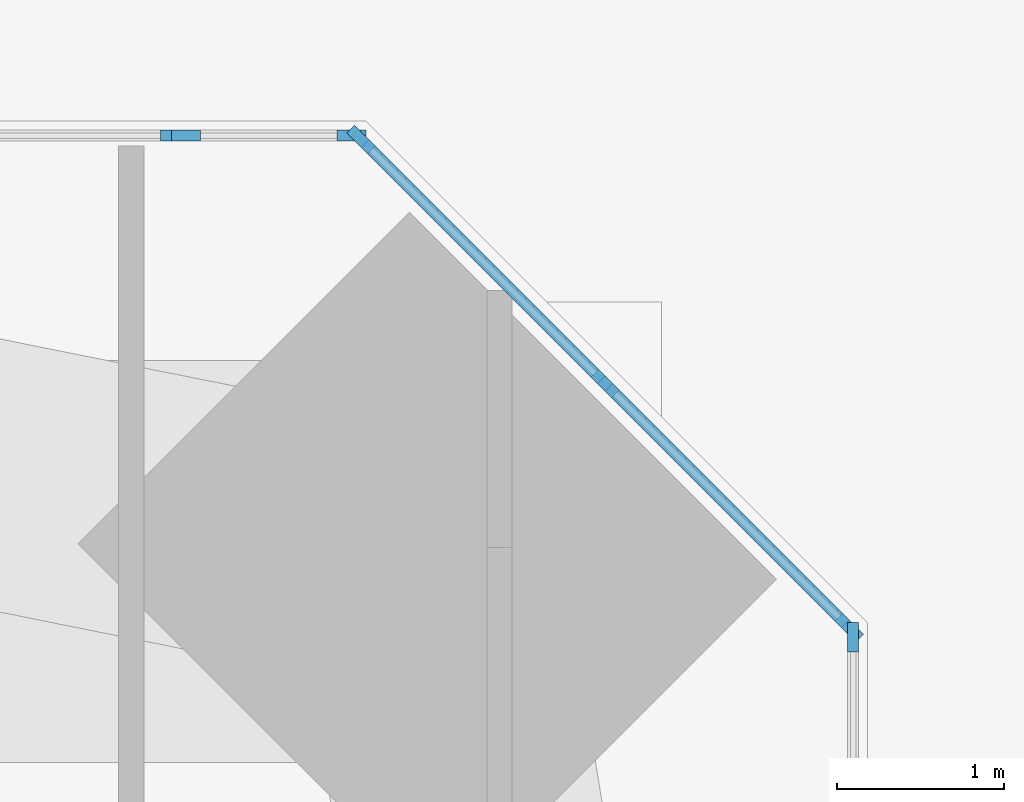
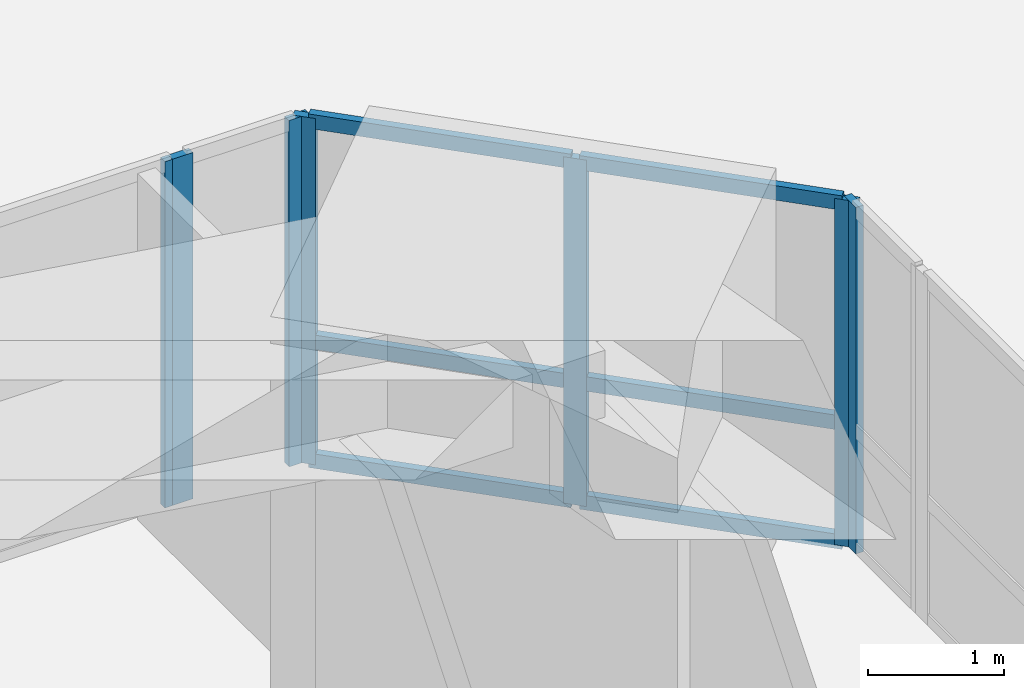
# One storey, part 7 of 20: 13 members, 4 elements without a shape of their own.
"""IFC4 building model written with IfcOpenShell, lengths in metres."""

from ifc_helpers import new_model, si_unit, direction, frame, origin, origin_2d, place, context, subcontext, project, spatial, rectangle, extrude, material, material_profile, profile_set, type_object, element, aggregate, save


model = new_model("IFC4")

# Units and contexts
model_context = context("Model", 3, precision=1e-05, world=origin(), true_north=direction((0.0, 1.0)))
body_context = subcontext(model_context, "Body", "Model", "MODEL_VIEW")
ifc_project = project(units=[si_unit("LENGTHUNIT", "METRE"), si_unit("AREAUNIT", "SQUARE_METRE"), si_unit("VOLUMEUNIT", "CUBIC_METRE"), si_unit("PLANEANGLEUNIT", "RADIAN"), si_unit("MASSUNIT", "GRAM", prefix="KILO")], contexts=[model_context])

# Site, building, storey
site_placement = place(None, origin())
site = spatial("IfcSite", under=ifc_project, at=site_placement, CompositionType="ELEMENT")
building_placement = place(site_placement, origin())
building = spatial("IfcBuilding", under=site, at=building_placement, Name="Jalousie Tower", CompositionType="ELEMENT")
storey_placement = place(building_placement, frame((0.0, 0.0, 21.0)))
storey = spatial("IfcBuildingStorey", under=building, at=storey_placement, Name="L04", CompositionType="ELEMENT", Elevation=21.0)

# Curtain wall, member
ifc_material_1 = material(Name="Aluminium curtain wall", Category="aluminium")
curtain_wall_type_1 = type_object("IfcCurtainWallType", Name="AMENITY SPANDREL WALL", PredefinedType="USERDEFINED", material=ifc_material_1)
curtain_wall_1_placement = place(storey_placement, origin())
curtain_wall_1 = element("IfcCurtainWall", 1, at=curtain_wall_1_placement, inside=storey, type_object=curtain_wall_type_1, Name="Amenity Spandrel Wall L04 31", ObjectType="AMENITY SPANDREL WALL", PredefinedType="USERDEFINED")
ifc_material_2 = material(Name="Aluminium mullion", Category="aluminium")
ifc_material_profile_1 = material_profile(ifc_material_2, rectangle(XDim=0.06494140625, YDim=0.175048828125, at=origin_2d()), Name="MULLION 65x175")
ifc_profile_set_1 = profile_set([ifc_material_profile_1], Name="Aluminium mullion")
member_type_1 = type_object("IfcMemberType", Name="AMENITY SPANDREL WALL MULLION", PredefinedType="MULLION", material=ifc_profile_set_1)
member_1_placement = place(storey_placement, frame((45.91259765625, 34.916259765625, 0.0), z_axis=(0.0, 0.0, 1.0), x_axis=(-1.0, 0.0, 0.0)))
member_1 = element("IfcMember", 2, at=member_1_placement, type_object=member_type_1, Name="CW-AS mullion 2", PredefinedType="MULLION", context=body_context, shape_type="SweptSolid", body=[
    extrude(rectangle(XDim=0.06494140625, YDim=0.175048828125, at=origin_2d()), origin(), (0.0, 0.0, 1.0), 3.110107421875),
])
aggregate(curtain_wall_1, [member_1])

# Curtain wall, members
curtain_wall_2_placement = place(storey_placement, origin())
curtain_wall_2 = element("IfcCurtainWall", 3, at=curtain_wall_2_placement, inside=storey, type_object=curtain_wall_type_1, Name="Amenity Spandrel Wall L04 4", ObjectType="AMENITY SPANDREL WALL", PredefinedType="USERDEFINED")
member_2_placement = place(storey_placement, frame((45.889404296875, 34.9716796875, 0.0), z_axis=(0.0, 0.0, 1.0), x_axis=(-0.707106781187, -0.707106781187, 0.0)))
member_2 = element("IfcMember", 4, at=member_2_placement, type_object=member_type_1, Name="CW-AS mullion 1", PredefinedType="MULLION", context=body_context, shape_type="SweptSolid", body=[
    extrude(rectangle(XDim=0.06494140625, YDim=0.175048828125, at=origin_2d()), origin(), (0.0, 0.0, 1.0), 3.110107421875),
])
member_3_placement = place(storey_placement, frame((44.4306640625, 36.4306640625, 0.0), z_axis=(0.0, 0.0, 1.0), x_axis=(-0.707106781187, -0.707106781187, 0.0)))
member_3 = element("IfcMember", 5, at=member_3_placement, type_object=member_type_1, Name="CW-AS mullion 2", PredefinedType="MULLION", context=body_context, shape_type="SweptSolid", body=[
    extrude(rectangle(XDim=0.06494140625, YDim=0.175048828125, at=origin_2d()), origin(), (0.0, 0.0, 1.0), 3.110107421875),
])
member_4_placement = place(storey_placement, frame((42.9716796875, 37.889404296875, 0.0), z_axis=(0.0, 0.0, 1.0), x_axis=(-0.707106781187, -0.707106781187, 0.0)))
member_4 = element("IfcMember", 6, at=member_4_placement, type_object=member_type_1, Name="CW-AS mullion 3", PredefinedType="MULLION", context=body_context, shape_type="SweptSolid", body=[
    extrude(rectangle(XDim=0.06494140625, YDim=0.175048828125, at=origin_2d()), origin(), (0.0, 0.0, 1.0), 3.110107421875),
])

curtain_wall_3_placement = place(storey_placement, origin())
curtain_wall_3 = element("IfcCurtainWall", 7, at=curtain_wall_3_placement, inside=storey, type_object=curtain_wall_type_1, Name="Amenity Spandrel Wall L04 41", ObjectType="AMENITY SPANDREL WALL", PredefinedType="USERDEFINED")
member_5_placement = place(storey_placement, frame((42.916259765625, 37.91259765625, 0.0), z_axis=(0.0, 0.0, 1.0), x_axis=(0.0, -1.0, 0.0)))
member_5 = element("IfcMember", 8, at=member_5_placement, type_object=member_type_1, Name="CW-AS mullion 1", PredefinedType="MULLION", context=body_context, shape_type="SweptSolid", body=[
    extrude(rectangle(XDim=0.06494140625, YDim=0.175048828125, at=origin_2d()), origin(), (0.0, 0.0, 1.0), 3.110107421875),
])
member_6_placement = place(storey_placement, frame((41.927490234375, 37.91259765625, 0.0), z_axis=(0.0, 0.0, 1.0), x_axis=(0.0, -1.0, 0.0)))
member_6 = element("IfcMember", 9, at=member_6_placement, type_object=member_type_1, Name="CW-AS mullion 2", PredefinedType="MULLION", context=body_context, shape_type="SweptSolid", body=[
    extrude(rectangle(XDim=0.06494140625, YDim=0.175048828125, at=origin_2d()), origin(), (0.0, 0.0, 1.0), 3.110107421875),
])
aggregate(curtain_wall_3, [member_5, member_6])

# Member
ifc_material_3 = material(Name="Aluminium transom", Category="aluminium")
ifc_material_profile_2 = material_profile(ifc_material_3, rectangle(XDim=0.06494140625, YDim=0.1298828125, at=origin_2d()), Name="TRANSOM 65x130")
ifc_profile_set_2 = profile_set([ifc_material_profile_2], Name="Aluminium transom")
member_type_2 = type_object("IfcMemberType", Name="AMENITY SPANDREL WALL TRANSOM", PredefinedType="USERDEFINED", material=ifc_profile_set_2)
member_7_placement = place(storey_placement, frame((45.866455078125, 34.99462890625, 0.032470703125), z_axis=(-0.707045689409, 0.707167867686, 0.0), x_axis=(-0.707167867686, -0.707045689409, 0.0)))
member_7 = element("IfcMember", 10, at=member_7_placement, type_object=member_type_2, Name="CW-AS transom 1.1", ObjectType="TRANSOM", PredefinedType="USERDEFINED", context=body_context, shape_type="SweptSolid", body=[
    extrude(rectangle(XDim=0.06494140625, YDim=0.1298828125, at=origin_2d()), origin(), (0.0, 0.0, 1.0), 1.998291015625),
])

member_8_placement = place(storey_placement, frame((45.866455078125, 34.99462890625, 1.10009765625), z_axis=(-0.707045689409, 0.707167867686, 0.0), x_axis=(-0.707167867686, -0.707045689409, 0.0)))
member_8 = element("IfcMember", 11, at=member_8_placement, type_object=member_type_2, Name="CW-AS transom 1.2", ObjectType="TRANSOM", PredefinedType="USERDEFINED", context=body_context, shape_type="SweptSolid", body=[
    extrude(rectangle(XDim=0.06494140625, YDim=0.1298828125, at=origin_2d()), origin(), (0.0, 0.0, 1.0), 1.998291015625),
])

member_9_placement = place(storey_placement, frame((45.866455078125, 34.99462890625, 3.077392578125), z_axis=(-0.707045689409, 0.707167867686, 0.0), x_axis=(-0.707167867686, -0.707045689409, 0.0)))
member_9 = element("IfcMember", 12, at=member_9_placement, type_object=member_type_2, Name="CW-AS transom 1.3", ObjectType="TRANSOM", PredefinedType="USERDEFINED", context=body_context, shape_type="SweptSolid", body=[
    extrude(rectangle(XDim=0.06494140625, YDim=0.1298828125, at=origin_2d()), origin(), (0.0, 0.0, 1.0), 1.998291015625),
])

member_10_placement = place(storey_placement, frame((44.40771484375, 36.45361328125, 0.032470703125), z_axis=(-0.707167867686, 0.707045689409, 0.0), x_axis=(-0.707045689409, -0.707167867686, 0.0)))
member_10 = element("IfcMember", 13, at=member_10_placement, type_object=member_type_2, Name="CW-AS transom 2.1", ObjectType="TRANSOM", PredefinedType="USERDEFINED", context=body_context, shape_type="SweptSolid", body=[
    extrude(rectangle(XDim=0.06494140625, YDim=0.1298828125, at=origin_2d()), origin(), (0.0, 0.0, 1.0), 1.998291015625),
])

member_11_placement = place(storey_placement, frame((44.40771484375, 36.45361328125, 1.10009765625), z_axis=(-0.707167867686, 0.707045689409, 0.0), x_axis=(-0.707045689409, -0.707167867686, 0.0)))
member_11 = element("IfcMember", 14, at=member_11_placement, type_object=member_type_2, Name="CW-AS transom 2.2", ObjectType="TRANSOM", PredefinedType="USERDEFINED", context=body_context, shape_type="SweptSolid", body=[
    extrude(rectangle(XDim=0.06494140625, YDim=0.1298828125, at=origin_2d()), origin(), (0.0, 0.0, 1.0), 1.998291015625),
])

member_12_placement = place(storey_placement, frame((44.40771484375, 36.45361328125, 3.077392578125), z_axis=(-0.707167867686, 0.707045689409, 0.0), x_axis=(-0.707045689409, -0.707167867686, 0.0)))
member_12 = element("IfcMember", 15, at=member_12_placement, type_object=member_type_2, Name="CW-AS transom 2.3", ObjectType="TRANSOM", PredefinedType="USERDEFINED", context=body_context, shape_type="SweptSolid", body=[
    extrude(rectangle(XDim=0.06494140625, YDim=0.1298828125, at=origin_2d()), origin(), (0.0, 0.0, 1.0), 1.998291015625),
])

aggregate(curtain_wall_2, [member_2, member_3, member_4, member_7, member_8, member_9, member_10, member_11, member_12])

# Curtain wall, member
ifc_material_4 = material(Name="Aluminium curtain wall", Category="aluminium")
curtain_wall_type_2 = type_object("IfcCurtainWallType", Name="AMENITY WINDOW WALL", PredefinedType="USERDEFINED", material=ifc_material_4)
curtain_wall_4_placement = place(storey_placement, origin())
curtain_wall_4 = element("IfcCurtainWall", 16, at=curtain_wall_4_placement, inside=storey, type_object=curtain_wall_type_2, Name="Amenity Window Wall L04 42", ObjectType="AMENITY WINDOW WALL", PredefinedType="USERDEFINED")
ifc_material_5 = material(Name="Aluminium mullion", Category="aluminium")
ifc_material_profile_3 = material_profile(ifc_material_5, rectangle(XDim=0.06494140625, YDim=0.175048828125, at=origin_2d()), Name="MULLION 65x175")
ifc_profile_set_3 = profile_set([ifc_material_profile_3], Name="Aluminium mullion")
member_type_3 = type_object("IfcMemberType", Name="AMENITY WINDOW WALL MULLION", PredefinedType="MULLION", material=ifc_profile_set_3)
member_13_placement = place(storey_placement, frame((41.862548828125, 37.91259765625, 0.0), z_axis=(0.0, 0.0, 1.0), x_axis=(0.0, -1.0, 0.0)))
member_13 = element("IfcMember", 17, at=member_13_placement, type_object=member_type_3, Name="CW-A mullion 1", PredefinedType="MULLION", context=body_context, shape_type="SweptSolid", body=[
    extrude(rectangle(XDim=0.06494140625, YDim=0.175048828125, at=origin_2d()), origin(), (0.0, 0.0, 1.0), 3.110107421875),
])
aggregate(curtain_wall_4, [member_13])

save(model, "model.ifc")
